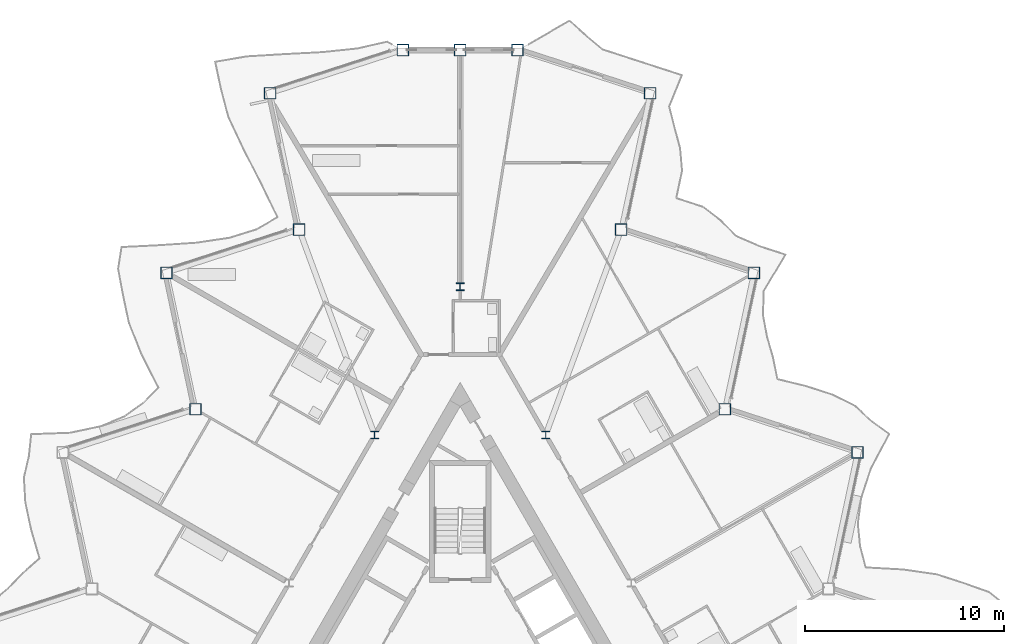
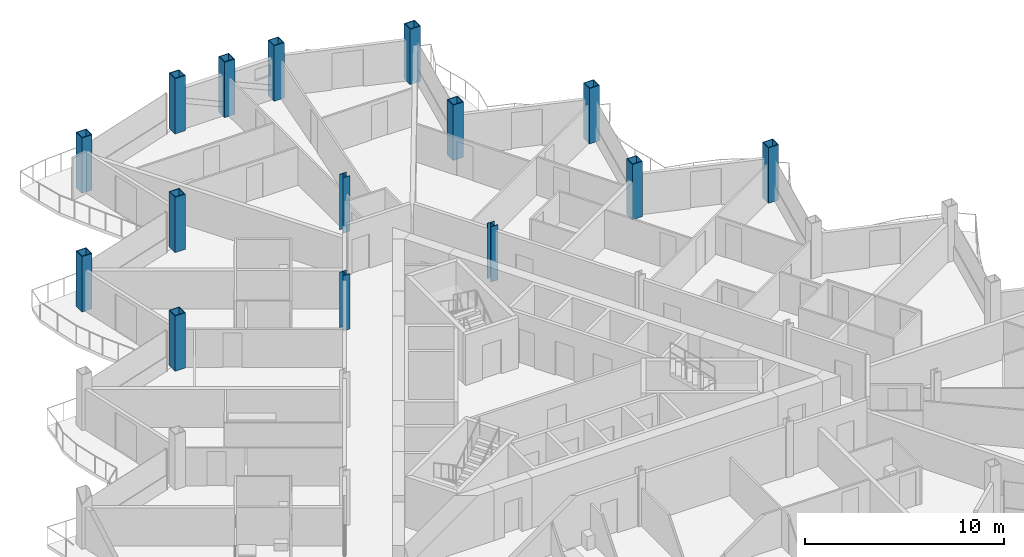
# One storey, part 3 of 27: 15 columns.
"""IFC4 building model written with IfcOpenShell, lengths in metres."""

from ifc_helpers import new_model, si_unit, direction, frame, origin, origin_2d, place, context, subcontext, project, spatial, hollow_rectangle, i_section, extrude, material, material_profile, profile_set, type_object, element, save


model = new_model("IFC4")

# Units and contexts
model_context = context("Model", 3, precision=1e-05, world=origin(), true_north=direction((0.0, 1.0)))
body_context = subcontext(model_context, "Body", "Model", "MODEL_VIEW")
ifc_project = project(units=[si_unit("LENGTHUNIT", "METRE"), si_unit("AREAUNIT", "SQUARE_METRE"), si_unit("VOLUMEUNIT", "CUBIC_METRE"), si_unit("PLANEANGLEUNIT", "RADIAN"), si_unit("MASSUNIT", "GRAM", prefix="KILO")], contexts=[model_context])

# Site, building, storey
site_placement = place(None, origin())
site = spatial("IfcSite", under=ifc_project, at=site_placement, CompositionType="ELEMENT")
building_placement = place(site_placement, origin())
building = spatial("IfcBuilding", under=site, at=building_placement, Name="Cormorant Prow Tower", CompositionType="ELEMENT")
storey_placement = place(building_placement, frame((0.0, 0.0, 335.800048828125)))
storey = spatial("IfcBuildingStorey", under=building, at=storey_placement, Name="L75", CompositionType="ELEMENT", Elevation=335.800048828125)

# Columns
ifc_material_1 = material(Name="Structural steel ASTM A572 Gr 50", Category="steel")
ifc_material_profile_1 = material_profile(ifc_material_1, hollow_rectangle(XDim=0.60009765625, YDim=0.60009765625, WallThickness=0.0400390625, at=origin_2d()), Name="Box 600x600x40")
ifc_profile_set_1 = profile_set([ifc_material_profile_1], Name="Structural steel ASTM A572 Gr 50")
column_type_1 = type_object("IfcColumnType", Name="Perimeter box column 600x600x40", PredefinedType="COLUMN", material=ifc_profile_set_1)
for number, where, z_axis, x_axis, name in (
    (1, (19.925537109375, 11.504150390625, 0.0), (0.0, 0.0, 1.0), (1.0, 0.0, 0.0), "Perimeter column C6 at ENE05 L75"),
    (2, (13.27197265625, 13.666015625, 0.0), (0.0, 0.0, 1.0), (1.0, 0.0, 0.0), "Perimeter column C6 at ENE06 L75"),
    (3, (14.7265625, 20.509033203125, 0.0), (0.0, 0.0, 1.0), (1.0, 0.0, 0.0), "Perimeter column C6 at ENE07 L75"),
    (4, (8.072998046875, 22.6708984375, 0.0), (0.0, 0.0, 1.0), (1.0, 0.0, 0.0), "Perimeter column C6 at ENE08 L75"),
    (5, (9.52734375, 29.51416015625, 0.0), (0.0, 0.0, 1.0), (1.0, 0.0, 0.0), "Perimeter column C6 at ENE09 L75"),
    (6, (2.873779296875, 31.676025390625, 0.0), (0.0, 0.0, 1.0), (1.0, 0.0, 0.0), "Perimeter column C6 at N00 L75"),
    (7, (0.0, 31.676025390625, 0.0), (0.0, 0.0, 1.0), (1.0, 0.0, 0.0), "Perimeter column C6 at N01 L75"),
    (8, (-2.873779296875, 31.676025390625, 0.0), (0.0, 0.0, 1.0), (1.0, 0.0, 0.0), "Perimeter column C6 at WNW00 L75"),
    (9, (-9.52734375, 29.51416015625, 0.0), (0.0, 0.0, 1.0), (1.0, 0.0, 0.0), "Perimeter column C6 at WNW01 L75"),
    (10, (-8.072998046875, 22.6708984375, 0.0), (0.0, 0.0, 1.0), (1.0, 0.0, 0.0), "Perimeter column C6 at WNW02 L75"),
    (11, (-14.7265625, 20.509033203125, 0.0), (0.0, 0.0, 1.0), (1.0, 0.0, 0.0), "Perimeter column C6 at WNW03 L75"),
    (12, (-13.27197265625, 13.666015625, 0.0), (0.0, 0.0, 1.0), (1.0, 0.0, 0.0), "Perimeter column C6 at WNW04 L75"),
):
    element("IfcColumn", number, at=place(storey_placement, frame(where, z_axis=z_axis, x_axis=x_axis)), inside=storey, type_object=column_type_1, Name=name, PredefinedType="COLUMN", context=body_context, shape_type="SweptSolid", body=[
        extrude(hollow_rectangle(XDim=0.60009765625, YDim=0.60009765625, WallThickness=0.0400390625, at=origin_2d()), origin(), (0.0, 0.0, 1.0), 3.39990234375),
    ])
ifc_material_2 = material(Name="Structural steel ASTM A992 Gr 50", Category="steel")
ifc_material_profile_2 = material_profile(ifc_material_2, i_section(OverallWidth=0.3955078125, OverallDepth=0.380615234375, WebThickness=0.018798828125, FlangeThickness=0.0302734375, at=origin_2d()), Name="W14x159")
ifc_profile_set_2 = profile_set([ifc_material_profile_2], Name="Structural steel ASTM A992 Gr 50")
column_type_2 = type_object("IfcColumnType", Name="Ring column W14x159", PredefinedType="COLUMN", material=ifc_profile_set_2)
for number, where, z_axis, x_axis, name in (
    (13, (0.0, 19.81103515625, 0.0), (0.0, 0.0, 1.0), (1.0, 0.0, 0.0), "Ring column 1 L75"),
    (14, (-4.289306640625, 12.3818359375, 0.0), (0.0, 0.0, 1.0), (1.0, 0.0, 0.0), "Ring column 2 L75"),
    (15, (4.289306640625, 12.3818359375, 0.0), (0.0, 0.0, 1.0), (1.0, 0.0, 0.0), "Ring column 12 L75"),
):
    element("IfcColumn", number, at=place(storey_placement, frame(where, z_axis=z_axis, x_axis=x_axis)), inside=storey, type_object=column_type_2, Name=name, PredefinedType="COLUMN", context=body_context, shape_type="SweptSolid", body=[
        extrude(i_section(OverallWidth=0.3955078125, OverallDepth=0.380615234375, WebThickness=0.018798828125, FlangeThickness=0.0302734375, at=origin_2d()), origin(), (0.0, 0.0, 1.0), 3.39990234375),
    ])

save(model, "model.ifc")
